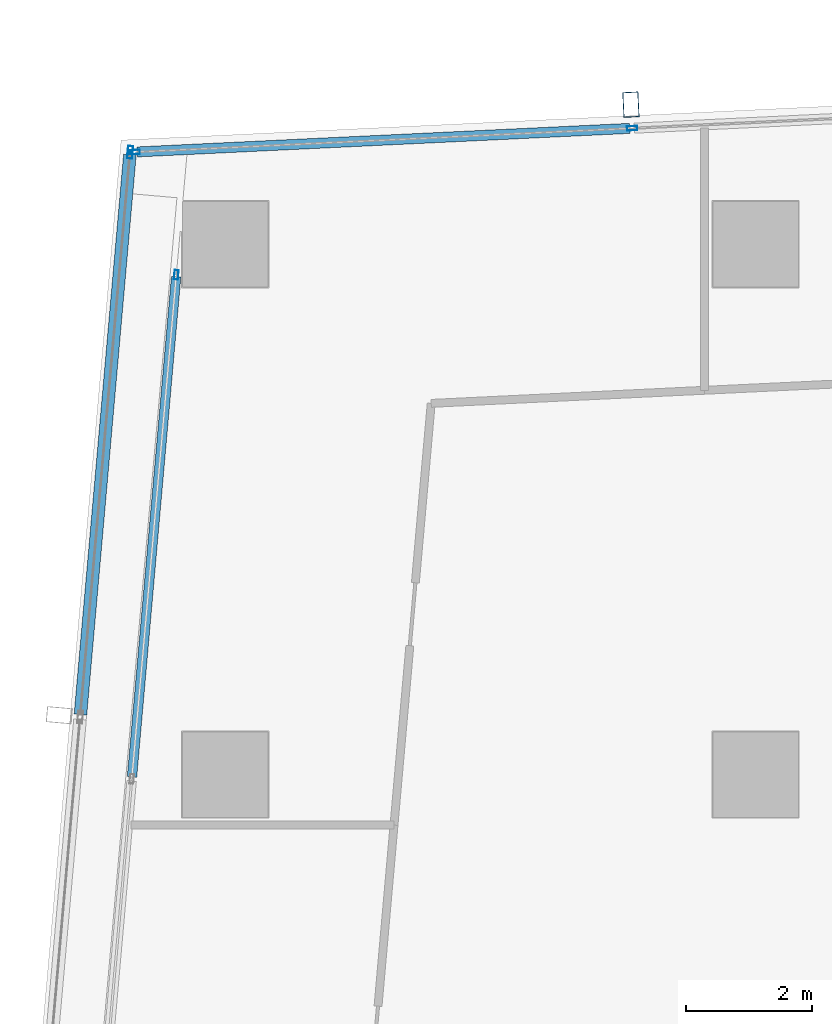
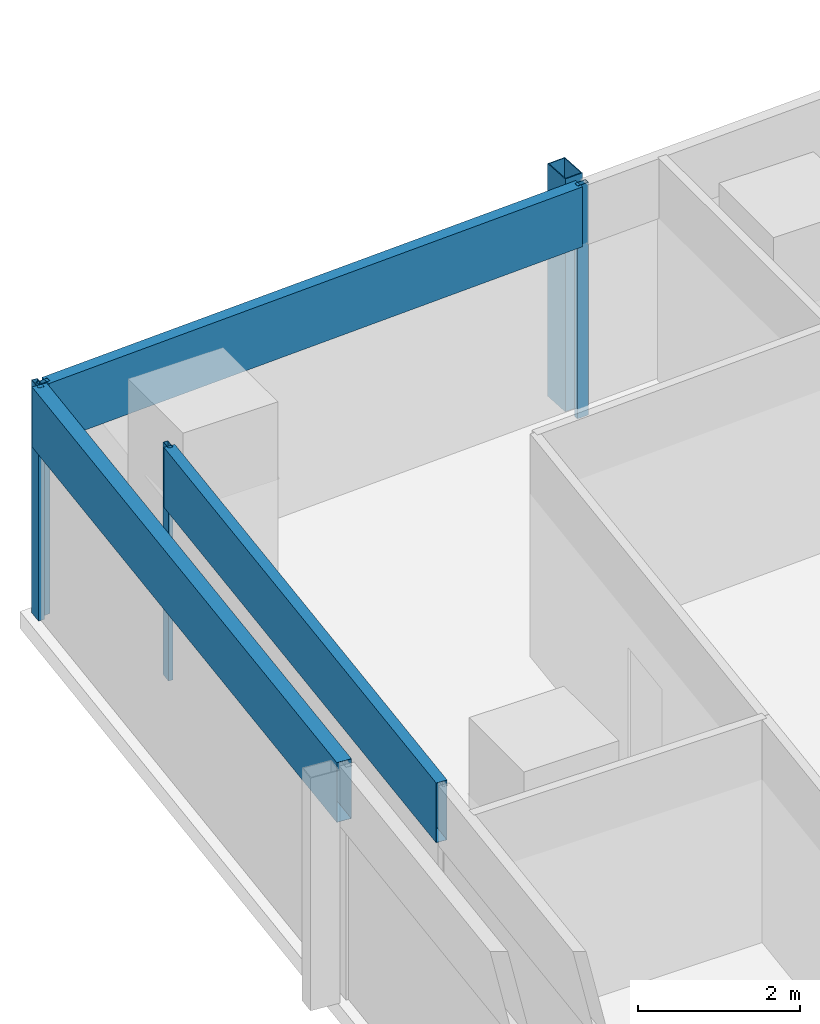
# One storey, part 17 of 38: 8 members, 3 elements without a shape of their own.
"""IFC4 building model written with IfcOpenShell, lengths in metres."""

import ifcopenshell
import ifcopenshell.guid

model = None  # the IFC model being written
_history = None  # IfcOwnerHistory: only IFC2X3 demands one
_inside = {}  # id of a spatial element -> (the spatial element, [elements in it])
_under = {}  # id of a project, library or spatial element -> (it, [spatial elements below it])
_declared = {}  # id of a project -> (the project, [libraries it declares])
_typed = {}  # id of a type object -> (the type object, [elements of that type])
_made_of = {}  # id of a material, layer set ... -> (it, [elements and type objects made of it])


def new_model(schema):
    """Start an empty IFC model of exactly this schema.

    Asked for "IFC4X3", IfcOpenShell would pick the latest addendum, in which some entities
    have other attributes; the version numbers below select the first issue.
    IFC2X3 requires an IfcOwnerHistory on every rooted entity: one is made here for all.
    """
    global model, _history
    if schema == "IFC4X3":
        model = ifcopenshell.file(schema_version=(4, 3, 0, 0))
    else:
        model = ifcopenshell.file(schema=schema)
    _inside.clear()
    _under.clear()
    _declared.clear()
    _typed.clear()
    _made_of.clear()
    _history = None
    if model.schema == "IFC2X3":
        org = make("IfcOrganization", Name="unknown")
        user = make(
            "IfcPersonAndOrganization",
            ThePerson=make("IfcPerson", FamilyName="unknown"),
            TheOrganization=org,
        )
        app = make(
            "IfcApplication",
            ApplicationDeveloper=org,
            Version="unknown",
            ApplicationFullName="unknown",
            ApplicationIdentifier="unknown",
        )
        _history = make(
            "IfcOwnerHistory",
            OwningUser=user,
            OwningApplication=app,
            ChangeAction="ADDED",
            CreationDate=0,
        )
    return model


def make(cls, **values):
    """One entity of the class cls with the attributes given. An attribute that is None is left unset."""
    return model.create_entity(
        cls, **{name: value for name, value in values.items() if value is not None}
    )


def rooted(cls, **values):
    """An entity with a GlobalId (a new one), such as an element, a storey or a relation."""
    return make(cls, GlobalId=ifcopenshell.guid.new(), OwnerHistory=_history, **values)


def si_unit(unit_type, name, prefix=None):
    """IfcSIUnit, for example si_unit("LENGTHUNIT", "METRE", prefix="MILLI")."""
    return make("IfcSIUnit", UnitType=unit_type, Prefix=prefix, Name=name)


def assignment(units):
    """IfcUnitAssignment: the units of a project."""
    return None if units is None else make("IfcUnitAssignment", Units=units)


def point(xyz):
    """IfcCartesianPoint."""
    return None if xyz is None else make("IfcCartesianPoint", Coordinates=xyz)


def direction(xyz):
    """IfcDirection."""
    return None if xyz is None else make("IfcDirection", DirectionRatios=xyz)


def frame(location, z_axis=None, x_axis=None):
    """IfcAxis2Placement3D, a coordinate frame: its origin and axes. An axis left out is left unset."""
    return make(
        "IfcAxis2Placement3D",
        Location=point(location),
        Axis=direction(z_axis),
        RefDirection=direction(x_axis),
    )


def frame_2d(location, x_axis=None):
    """IfcAxis2Placement2D, a coordinate frame in the plane: its origin and x axis."""
    return make(
        "IfcAxis2Placement2D", Location=point(location), RefDirection=direction(x_axis)
    )


def origin():
    """The frame at (0, 0, 0) with its axes left unset."""
    return frame((0.0, 0.0, 0.0))


def origin_2d():
    """The frame at (0, 0) in the plane with its x axis left unset."""
    return frame_2d((0.0, 0.0))


def place(relative_to, where):
    """IfcLocalPlacement: puts the frame where relative to a parent placement (None: the world)."""
    return make(
        "IfcLocalPlacement", PlacementRelTo=relative_to, RelativePlacement=where
    )


def context(
    kind, dimensions, precision=None, world=None, true_north=None, identifier=None
):
    """IfcGeometricRepresentationContext, for example the 3D "Model" context."""
    return make(
        "IfcGeometricRepresentationContext",
        ContextIdentifier=identifier,
        ContextType=kind,
        CoordinateSpaceDimension=dimensions,
        Precision=precision,
        WorldCoordinateSystem=world,
        TrueNorth=true_north,
    )


def subcontext(parent, identifier, kind, view, scale=None):
    """IfcGeometricRepresentationSubContext, for example "Body" below "Model"."""
    return make(
        "IfcGeometricRepresentationSubContext",
        ContextIdentifier=identifier,
        ContextType=kind,
        ParentContext=parent,
        TargetScale=scale,
        TargetView=view,
    )


def project(units=None, contexts=None):
    """IfcProject with its units and contexts."""
    return rooted(
        "IfcProject",
        Name="project",
        RepresentationContexts=contexts,
        UnitsInContext=assignment(units),
    )


def spatial(cls, under=None, at=None, **own):
    """A site, building, storey or space (cls), placed at a placement, below another one or the project."""
    s = rooted(cls, ObjectPlacement=at, **own)
    if under is not None:
        _under.setdefault(under.id(), (under, []))[1].append(s)
    return s


def profile(cls, at=None, kind="AREA", **sizes):
    """A parametric profile (cls). Its sizes go by their IFC names, for example OverallWidth=200.0."""
    return make(cls, ProfileType=kind, Position=at, **sizes)


def hollow_rectangle(**sizes):
    """IfcRectangleHollowProfileDef."""
    return profile("IfcRectangleHollowProfileDef", **sizes)


def extrude(swept, where, along, depth):
    """IfcExtrudedAreaSolid: the profile swept, set in the frame where, extruded along a direction by depth."""
    return make(
        "IfcExtrudedAreaSolid",
        SweptArea=swept,
        Position=where,
        ExtrudedDirection=direction(along),
        Depth=depth,
    )


def shape(context_of_items, identifier, shape_type, items):
    """IfcShapeRepresentation: the items that make up one representation, for example the "Body"."""
    return make(
        "IfcShapeRepresentation",
        ContextOfItems=context_of_items,
        RepresentationIdentifier=identifier,
        RepresentationType=shape_type,
        Items=items,
    )


def material(Name=None, Category=None):
    """IfcMaterial."""
    return make("IfcMaterial", Name=Name, Category=Category)


def material_profile(
    of_material, cross_section, Name=None, Category=None, Priority=None
):
    """IfcMaterialProfile: a cross section and its material."""
    return make(
        "IfcMaterialProfile",
        Name=Name,
        Material=of_material,
        Profile=cross_section,
        Priority=Priority,
        Category=Category,
    )


def profile_set(profiles, Name=None, composite=None):
    """IfcMaterialProfileSet."""
    return make(
        "IfcMaterialProfileSet",
        Name=Name,
        MaterialProfiles=profiles,
        CompositeProfile=composite,
    )


def made_of(thing, what):
    """Note that an element or type object is made of a material, layer set ...; save() writes the relation."""
    if what is not None:
        _made_of.setdefault(what.id(), (what, []))[1].append(thing)
    return thing


def type_object(cls, material=None, **own):
    """A type object (cls), such as IfcWallType, which elements share."""
    return made_of(rooted(cls, **own), material)


def element(
    cls,
    number,
    at=None,
    inside=None,
    cuts=None,
    type_object=None,
    material=None,
    context=None,
    identifier="Body",
    shape_type=None,
    held_by="IfcProductDefinitionShape",
    body=None,
    shapes=None,
    **own,
):
    """One element of the class cls, such as IfcWall. Its Tag is "e" and its number.

    at: its placement. inside: the storey or other place that contains it. cuts: it is an
    opening in that element (IfcRelVoidsElement). A single representation is given by context,
    identifier, shape_type and body (its items); several are given by shapes. held_by: the class
    of the entity that holds the representations. save() writes the other relations.
    """
    e = rooted(cls, Tag="e%d" % number, ObjectPlacement=at, **own)
    if body is not None:
        shapes = [shape(context, identifier, shape_type, body)]
    if shapes is not None:
        e.Representation = make(held_by, Representations=shapes)
    if inside is not None:
        _inside.setdefault(inside.id(), (inside, []))[1].append(e)
    if cuts is not None:
        rooted(
            "IfcRelVoidsElement", RelatingBuildingElement=cuts, RelatedOpeningElement=e
        )
    if type_object is not None:
        _typed.setdefault(type_object.id(), (type_object, []))[1].append(e)
    return made_of(e, material)


def aggregate(whole, parts):
    """IfcRelAggregates: a whole, such as a stair, and the parts it consists of."""
    return rooted("IfcRelAggregates", RelatingObject=whole, RelatedObjects=parts)


def save(model, path):
    """Write the relations noted so far, then the file.

    IfcRelAggregates (storeys below a building ...), IfcRelContainedInSpatialStructure (elements
    in a storey), IfcRelDefinesByType, IfcRelAssociatesMaterial and IfcRelDeclares: one each for
    every whole, place, type object, material and project.
    """
    for whole, parts in _under.values():
        aggregate(whole, parts)
    for where, things in _inside.values():
        rooted(
            "IfcRelContainedInSpatialStructure",
            RelatedElements=things,
            RelatingStructure=where,
        )
    for kind, things in _typed.values():
        rooted("IfcRelDefinesByType", RelatedObjects=things, RelatingType=kind)
    for what, things in _made_of.values():
        rooted("IfcRelAssociatesMaterial", RelatedObjects=things, RelatingMaterial=what)
    for by, libraries in _declared.values():
        rooted("IfcRelDeclares", RelatingContext=by, RelatedDefinitions=libraries)
    model.write(path)


model = new_model("IFC4")

# Units and contexts
model_context = context("Model", 3, precision=1e-05, world=origin(), true_north=direction((0.0, 1.0)))
body_context = subcontext(model_context, "Body", "Model", "MODEL_VIEW")
ifc_project = project(units=[si_unit("LENGTHUNIT", "METRE"), si_unit("AREAUNIT", "SQUARE_METRE"), si_unit("VOLUMEUNIT", "CUBIC_METRE"), si_unit("PLANEANGLEUNIT", "RADIAN"), si_unit("MASSUNIT", "GRAM", prefix="KILO")], contexts=[model_context])

# Site, building, storey
site_placement = place(None, origin())
site = spatial("IfcSite", under=ifc_project, at=site_placement, CompositionType="ELEMENT")
building_placement = place(site_placement, origin())
building = spatial("IfcBuilding", under=site, at=building_placement, Name="Rekha Terrace Tower", CompositionType="ELEMENT")
storey_placement = place(building_placement, frame((0.0, 0.0, 202.699951171875)))
storey = spatial("IfcBuildingStorey", under=building, at=storey_placement, Name="L51", CompositionType="ELEMENT", Elevation=202.699951171875)

# Curtain wall, member
ifc_material_1 = material(Name="Aluminium framing", Category="aluminium")
curtain_wall_type_1 = type_object("IfcCurtainWallType", Name="CW3 north unitised glazing", PredefinedType="USERDEFINED", material=ifc_material_1)
curtain_wall_1_placement = place(storey_placement, origin())
curtain_wall_1 = element("IfcCurtainWall", 1, at=curtain_wall_1_placement, inside=storey, type_object=curtain_wall_type_1, Name="CW3 unitised curtain wall", ObjectType="UNITISED CURTAIN WALL", PredefinedType="USERDEFINED")
ifc_material_2 = material(Name="Steel S355 with fluorocarbon finish", Category="steel")
ifc_material_profile_1 = material_profile(ifc_material_2, hollow_rectangle(XDim=0.25, YDim=0.39990234375, WallThickness=0.012451171875, at=origin_2d()), Name="RHS400x250x12.5")
ifc_profile_set_1 = profile_set([ifc_material_profile_1], Name="Steel S355 with fluorocarbon finish")
member_type_1 = type_object("IfcMemberType", Name="BL1 facade blade RHS 400 x 250", PredefinedType="USERDEFINED", material=ifc_profile_set_1)
member_1_placement = place(storey_placement, frame((14.824951171875, 61.01123046875, 0.0), z_axis=(0.0, 0.0, 1.0), x_axis=(-0.998858913274, -0.04775846913, 0.0)))
member_1 = element("IfcMember", 2, at=member_1_placement, type_object=member_type_1, Name="Facade blade", ObjectType="FACADE BLADE", PredefinedType="USERDEFINED", context=body_context, shape_type="SweptSolid", body=[
    extrude(hollow_rectangle(XDim=0.25, YDim=0.39990234375, WallThickness=0.012451171875, at=origin_2d()), origin(), (0.0, 0.0, 1.0), 3.5),
])

# Curtain wall, members
curtain_wall_type_2 = type_object("IfcCurtainWallType", Name="CW1 double skin inner glazing", PredefinedType="USERDEFINED", material=ifc_material_1)
curtain_wall_2_placement = place(storey_placement, origin())
curtain_wall_2 = element("IfcCurtainWall", 3, at=curtain_wall_2_placement, inside=storey, type_object=curtain_wall_type_2, Name="CW1 double skin inner glazing", ObjectType="DOUBLE SKIN INNER GLAZING", PredefinedType="USERDEFINED")
ifc_material_3 = material(Name="Aluminium mullion section", Category="aluminium")
ifc_material_profile_2 = material_profile(ifc_material_3, hollow_rectangle(XDim=0.06494140625, YDim=0.14990234375, WallThickness=0.00390625, at=origin_2d()), Name="AL RHS 65x150")
ifc_profile_set_2 = profile_set([ifc_material_profile_2], Name="Aluminium mullion section")
member_type_2 = type_object("IfcMemberType", Name="CW1 mullion RHS 65 x 150", PredefinedType="MULLION", material=ifc_profile_set_2)
member_2_placement = place(storey_placement, frame((7.625732421875, 58.316650390625, 0.0), z_axis=(0.0, 0.0, 1.0), x_axis=(0.996124185422, -0.087957985523, 0.0)))
member_2 = element("IfcMember", 4, at=member_2_placement, type_object=member_type_2, Name="CW1 mullion 1", PredefinedType="MULLION", context=body_context, shape_type="SweptSolid", body=[
    extrude(hollow_rectangle(XDim=0.06494140625, YDim=0.14990234375, WallThickness=0.00390625, at=origin_2d()), origin(), (0.0, 0.0, 1.0), 3.5),
])
ifc_material_4 = material(Name="Insulated aluminium spandrel box", Category="aluminium")
ifc_material_profile_3 = material_profile(ifc_material_4, hollow_rectangle(XDim=0.14990234375, YDim=0.89990234375, WallThickness=0.0029296875, at=origin_2d()), Name="AL SPANDREL BOX 150x900")
ifc_profile_set_3 = profile_set([ifc_material_profile_3], Name="Insulated aluminium spandrel box")
member_type_3 = type_object("IfcMemberType", Name="CW1 spandrel transom 150 x 900", PredefinedType="USERDEFINED", material=ifc_profile_set_3)
member_3_placement = place(storey_placement, frame((7.622802734375, 58.2841796875, 3.050048828125), z_axis=(-0.087941305291, -0.996125658149, 0.0), x_axis=(0.996125658149, -0.087941305291, 0.0)))
member_3 = element("IfcMember", 5, at=member_3_placement, type_object=member_type_3, Name="CW1 spandrel transom 1", ObjectType="TRANSOM", PredefinedType="USERDEFINED", context=body_context, shape_type="SweptSolid", body=[
    extrude(hollow_rectangle(XDim=0.14990234375, YDim=0.89990234375, WallThickness=0.0029296875, at=origin_2d()), origin(), (0.0, 0.0, 1.0), 7.950927734375),
])
aggregate(curtain_wall_2, [member_2, member_3])

curtain_wall_type_3 = type_object("IfcCurtainWallType", Name="CW2 double skin outer glazing", PredefinedType="USERDEFINED", material=ifc_material_1)
curtain_wall_3_placement = place(storey_placement, origin())
curtain_wall_3 = element("IfcCurtainWall", 6, at=curtain_wall_3_placement, inside=storey, type_object=curtain_wall_type_3, Name="CW2 double skin outer glazing", ObjectType="DOUBLE SKIN OUTER GLAZING", PredefinedType="USERDEFINED")
ifc_material_profile_4 = material_profile(ifc_material_3, hollow_rectangle(XDim=0.080078125, YDim=0.199951171875, WallThickness=0.00390625, at=origin_2d()), Name="AL RHS 80x200")
ifc_profile_set_4 = profile_set([ifc_material_profile_4], Name="Aluminium mullion section")
member_type_4 = type_object("IfcMemberType", Name="CW2 mullion RHS 80 x 200", PredefinedType="MULLION", material=ifc_profile_set_4)
member_4_placement = place(storey_placement, frame((6.8935546875, 60.257080078125, 0.0), z_axis=(0.0, 0.0, 1.0), x_axis=(0.996124185428, -0.087957985453, 0.0)))
member_4 = element("IfcMember", 7, at=member_4_placement, type_object=member_type_4, Name="CW2 mullion 1", PredefinedType="MULLION", context=body_context, shape_type="SweptSolid", body=[
    extrude(hollow_rectangle(XDim=0.080078125, YDim=0.199951171875, WallThickness=0.00390625, at=origin_2d()), origin(), (0.0, 0.0, 1.0), 3.5),
])
ifc_material_profile_5 = material_profile(ifc_material_4, hollow_rectangle(XDim=0.199951171875, YDim=0.89990234375, WallThickness=0.0029296875, at=origin_2d()), Name="AL SPANDREL BOX 200x900")
ifc_profile_set_5 = profile_set([ifc_material_profile_5], Name="Insulated aluminium spandrel box")
member_type_5 = type_object("IfcMemberType", Name="CW2 spandrel transom 200 x 900", PredefinedType="USERDEFINED", material=ifc_profile_set_5)
member_5_placement = place(storey_placement, frame((6.89013671875, 60.217041015625, 3.050048828125), z_axis=(-0.08797787529, -0.996122428951, 0.0), x_axis=(0.996122428951, -0.08797787529, 0.0)))
member_5 = element("IfcMember", 8, at=member_5_placement, type_object=member_type_5, Name="CW2 spandrel transom 1", ObjectType="TRANSOM", PredefinedType="USERDEFINED", context=body_context, shape_type="SweptSolid", body=[
    extrude(hollow_rectangle(XDim=0.199951171875, YDim=0.89990234375, WallThickness=0.0029296875, at=origin_2d()), origin(), (0.0, 0.0, 1.0), 8.8994140625),
])
aggregate(curtain_wall_3, [member_4, member_5])

# Member
ifc_material_profile_6 = material_profile(ifc_material_3, hollow_rectangle(XDim=0.070068359375, YDim=0.159912109375, WallThickness=0.00390625, at=origin_2d()), Name="AL RHS 70x160")
ifc_profile_set_6 = profile_set([ifc_material_profile_6], Name="Aluminium mullion section")
member_type_6 = type_object("IfcMemberType", Name="CW3 mullion RHS 70 x 160", PredefinedType="MULLION", material=ifc_profile_set_6)
member_6_placement = place(storey_placement, frame((14.843017578125, 60.63671875, 0.0), z_axis=(0.0, 0.0, 1.0), x_axis=(0.047758616983, -0.998858906204, 0.0)))
member_6 = element("IfcMember", 9, at=member_6_placement, type_object=member_type_6, Name="CW3 mullion 5", PredefinedType="MULLION", context=body_context, shape_type="SweptSolid", body=[
    extrude(hollow_rectangle(XDim=0.070068359375, YDim=0.159912109375, WallThickness=0.00390625, at=origin_2d()), origin(), (0.0, 0.0, 1.0), 3.5),
])

member_7_placement = place(storey_placement, frame((6.96875, 60.26025390625, 0.0), z_axis=(0.0, 0.0, 1.0), x_axis=(0.047758616983, -0.998858906204, 0.0)))
member_7 = element("IfcMember", 10, at=member_7_placement, type_object=member_type_6, Name="CW3 mullion 6", PredefinedType="MULLION", context=body_context, shape_type="SweptSolid", body=[
    extrude(hollow_rectangle(XDim=0.070068359375, YDim=0.159912109375, WallThickness=0.00390625, at=origin_2d()), origin(), (0.0, 0.0, 1.0), 3.5),
])

ifc_material_profile_7 = material_profile(ifc_material_4, hollow_rectangle(XDim=0.159912109375, YDim=0.89990234375, WallThickness=0.0029296875, at=origin_2d()), Name="AL SPANDREL BOX 160x900")
ifc_profile_set_7 = profile_set([ifc_material_profile_7], Name="Insulated aluminium spandrel box")
member_type_7 = type_object("IfcMemberType", Name="CW3 spandrel transom 160 x 900", PredefinedType="USERDEFINED", material=ifc_profile_set_7)
member_8_placement = place(storey_placement, frame((14.807861328125, 60.635009765625, 3.050048828125), z_axis=(-0.998859425172, -0.047747761666, 0.0), x_axis=(0.047747761666, -0.998859425172, 0.0)))
member_8 = element("IfcMember", 11, at=member_8_placement, type_object=member_type_7, Name="CW3 spandrel transom 5", ObjectType="TRANSOM", PredefinedType="USERDEFINED", context=body_context, shape_type="SweptSolid", body=[
    extrude(hollow_rectangle(XDim=0.159912109375, YDim=0.89990234375, WallThickness=0.0029296875, at=origin_2d()), origin(), (0.0, 0.0, 1.0), 7.81298828125),
])

aggregate(curtain_wall_1, [member_6, member_7, member_8, member_1])

save(model, "model.ifc")
